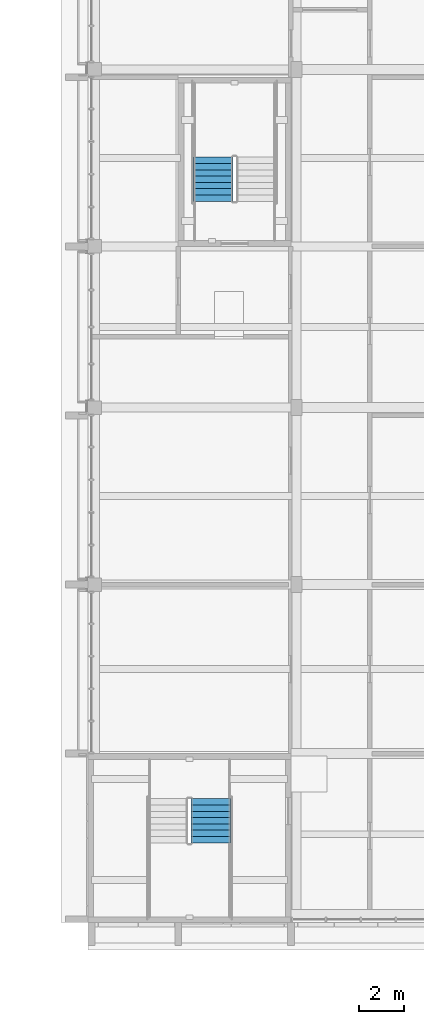
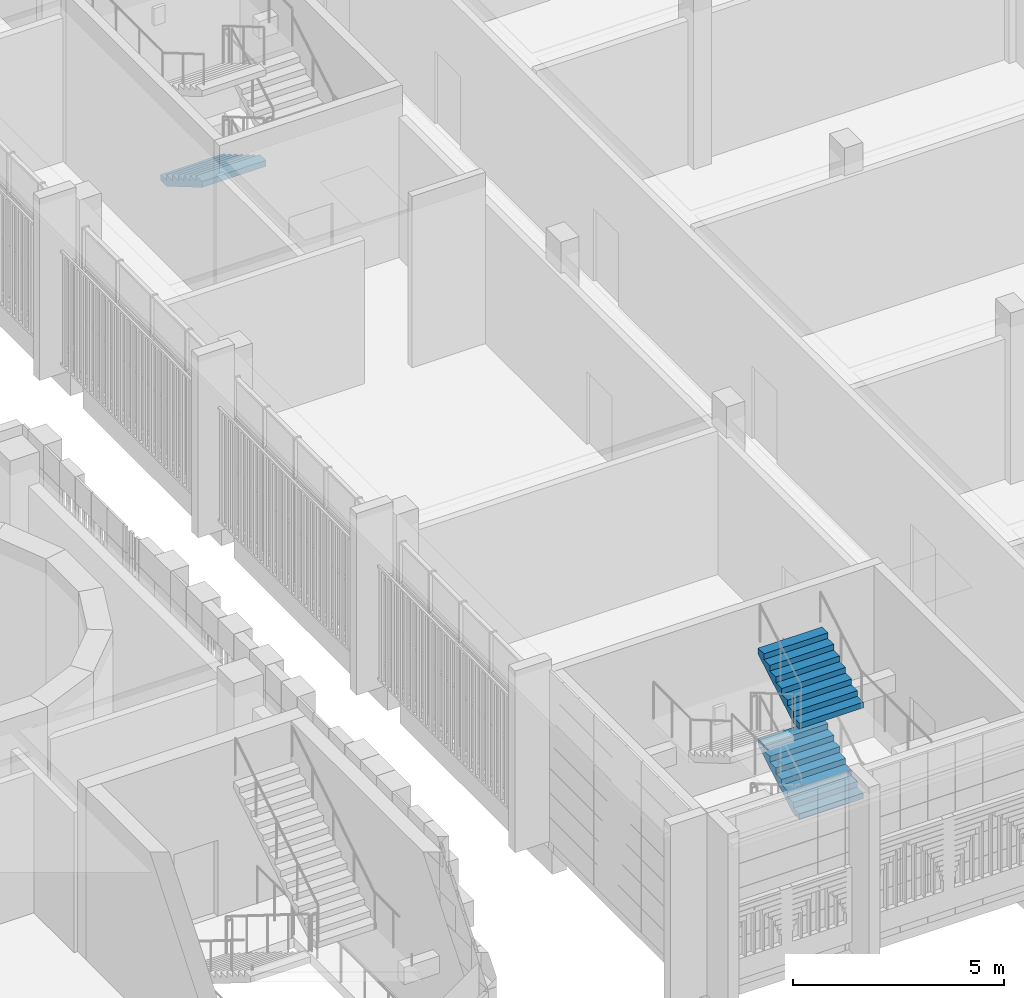
# One storey, part 75 of 125: 3 stair flights, 2 elements without a shape of their own.
"""IFC4 building model written with IfcOpenShell, lengths in metres."""

from ifc_helpers import new_model, si_unit, direction, frame, origin, place, context, subcontext, project, spatial, polyline, outline, extrude, material, type_object, element, aggregate, save


model = new_model("IFC4")

# Units and contexts
model_context = context("Model", 3, precision=1e-05, world=origin(), true_north=direction((0.0, 1.0)))
body_context = subcontext(model_context, "Body", "Model", "MODEL_VIEW")
ifc_project = project(units=[si_unit("LENGTHUNIT", "METRE"), si_unit("AREAUNIT", "SQUARE_METRE"), si_unit("VOLUMEUNIT", "CUBIC_METRE"), si_unit("PLANEANGLEUNIT", "RADIAN"), si_unit("MASSUNIT", "GRAM", prefix="KILO")], contexts=[model_context])

# Site, building, storey
site_placement = place(None, origin())
site = spatial("IfcSite", under=ifc_project, at=site_placement, CompositionType="ELEMENT")
building_placement = place(site_placement, origin())
building = spatial("IfcBuilding", under=site, at=building_placement, Name="Sun Court Science Centre", CompositionType="ELEMENT")
storey_placement = place(building_placement, frame((0.0, 0.0, 6.0)))
storey = spatial("IfcBuildingStorey", under=building, at=storey_placement, Name="L01", CompositionType="ELEMENT", Elevation=6.0)

# Stair, stair flights
ifc_material_1 = material(Name="Concrete C25/30", Category="concrete")
stair_type = type_object("IfcStairType", Name="Stair 1500 enclosed half-turn", PredefinedType="HALF_TURN_STAIR", material=ifc_material_1)
stair_1_placement = place(storey_placement, origin())
stair_1 = element("IfcStair", 1, at=stair_1_placement, inside=storey, type_object=stair_type, Name="L01 Stair SL1", PredefinedType="HALF_TURN_STAIR")
ifc_material_2 = material(Name="Concrete C25/30", Category="concrete")
stair_flight_type = type_object("IfcStairFlightType", Name="Stair flight 1500 with waist", PredefinedType="STRAIGHT", material=ifc_material_2)
stair_flight_1_placement = place(storey_placement, frame((83.448974609375, 9.5419921875, 1.3125), z_axis=(0.0, 0.0, 1.0), x_axis=(0.0, 1.0, 0.0)))
stair_flight_1 = element("IfcStairFlight", 2, at=stair_flight_1_placement, type_object=stair_flight_type, Name="SL1 flight 2", NumberOfRisers=8, NumberOfTreads=7, PredefinedType="STRAIGHT", RiserHeight=0.1640625, TreadLength=0.28, context=body_context, shape_type="SweptSolid", body=[
    extrude(outline(polyline([(0.0, 0.0), (0.0, 0.00244140625), (0.0, 0.0048828125), (0.0, 0.00732421875), (0.0, 0.009765625), (0.0, 0.01220703125), (0.0, 0.0146484375), (0.0, 0.01708984375), (0.0, 0.01953125), (0.0, 0.02197265625), (0.0, 0.0244140625), (0.0, 0.02685546875), (0.0, 0.029296875), (0.0, 0.03173828125), (0.0, 0.0341796875), (0.0, 0.03662109375), (0.0, 0.0390625), (0.0, 0.04150390625), (0.0, 0.0439453125), (0.0, 0.04638671875), (0.0, 0.048828125), (0.0, 0.05126953125), (0.0, 0.0537109375), (0.0, 0.05615234375), (0.0, 0.05859375), (0.0, 0.06103515625), (0.0, 0.0634765625), (0.0, 0.06591796875), (0.0, 0.068359375), (0.0, 0.07080078125), (0.0, 0.0732421875), (0.0, 0.07568359375), (0.0, 0.078125), (0.0, 0.08056640625), (0.0, 0.0830078125), (0.0, 0.08544921875), (0.0, 0.087890625), (0.0, 0.09033203125), (0.0, 0.0927734375), (0.0, 0.09521484375), (0.0, 0.09765625), (0.0, 0.10009765625), (0.0, 0.1025390625), (0.0, 0.10498046875), (0.0, 0.107421875), (0.0, 0.10986328125), (0.0, 0.1123046875), (0.0, 0.11474609375), (0.0, 0.1171875), (0.0, 0.11962890625), (0.0, 0.1220703125), (0.0, 0.12451171875), (0.0, 0.126953125), (0.0, 0.12939453125), (0.0, 0.1318359375), (0.0, 0.13427734375), (0.0, 0.13671875), (0.0, 0.13916015625), (0.0, 0.1416015625), (0.0, 0.14404296875), (0.0, 0.146484375), (0.0, 0.14892578125), (0.0, 0.1513671875), (0.0, 0.15380859375), (0.0, 0.15625), (0.0, 0.15869140625), (0.0, 0.1611328125), (0.0, 0.1640625), (0.280029296875, 0.1640625), (0.280029296875, 0.328125), (0.56005859375, 0.328125), (0.56005859375, 0.4921875), (0.840087890625, 0.4921875), (0.840087890625, 0.65625), (1.1201171875, 0.65625), (1.1201171875, 0.8203125), (1.39990234375, 0.8203125), (1.39990234375, 0.984375), (1.679931640625, 0.984375), (1.679931640625, 1.1484375), (1.9599609375, 1.1484375), (1.9599609375, 1.15087890625), (1.9599609375, 1.1533203125), (1.9599609375, 1.15576171875), (1.9599609375, 1.158203125), (1.9599609375, 1.16064453125), (1.9599609375, 1.1630859375), (1.9599609375, 1.16552734375), (1.9599609375, 1.16796875), (1.9599609375, 1.17041015625), (1.9599609375, 1.1728515625), (1.9599609375, 1.17529296875), (1.9599609375, 1.177734375), (1.9599609375, 1.18017578125), (1.9599609375, 1.1826171875), (1.9599609375, 1.18505859375), (1.9599609375, 1.1875), (1.9599609375, 1.18994140625), (1.9599609375, 1.1923828125), (1.9599609375, 1.19482421875), (1.9599609375, 1.197265625), (1.9599609375, 1.19970703125), (1.9599609375, 1.2021484375), (1.9599609375, 1.20458984375), (1.9599609375, 1.20703125), (1.9599609375, 1.20947265625), (1.9599609375, 1.2119140625), (1.9599609375, 1.21435546875), (1.9599609375, 1.216796875), (1.9599609375, 1.21923828125), (1.9599609375, 1.2216796875), (1.9599609375, 1.22412109375), (1.9599609375, 1.2265625), (1.9599609375, 1.22900390625), (1.9599609375, 1.2314453125), (1.9599609375, 1.23388671875), (1.9599609375, 1.236328125), (1.9599609375, 1.23876953125), (1.9599609375, 1.2412109375), (1.9599609375, 1.24365234375), (1.9599609375, 1.24609375), (1.9599609375, 1.24853515625), (1.9599609375, 1.2509765625), (1.9599609375, 1.25341796875), (1.9599609375, 1.255859375), (1.9599609375, 1.25830078125), (1.9599609375, 1.2607421875), (1.9599609375, 1.26318359375), (1.9599609375, 1.265625), (1.9599609375, 1.26806640625), (1.9599609375, 1.2705078125), (1.9599609375, 1.27294921875), (1.9599609375, 1.275390625), (1.9599609375, 1.27783203125), (1.9599609375, 1.2802734375), (1.9599609375, 1.28271484375), (1.9599609375, 1.28515625), (1.9599609375, 1.28759765625), (1.9599609375, 1.2900390625), (1.9599609375, 1.29248046875), (1.9599609375, 1.294921875), (1.9599609375, 1.29736328125), (1.9599609375, 1.2998046875), (1.9599609375, 1.30224609375), (1.9599609375, 1.3046875), (1.9599609375, 1.30712890625), (1.9599609375, 1.3095703125), (1.9599609375, 1.3125), (1.9599609375, 1.31005859375), (1.9599609375, 1.3076171875), (1.9599609375, 1.30517578125), (1.9599609375, 1.302734375), (1.9599609375, 1.30029296875), (1.9599609375, 1.2978515625), (1.9599609375, 1.29541015625), (1.9599609375, 1.29296875), (1.9599609375, 1.29052734375), (1.9599609375, 1.2880859375), (1.9599609375, 1.28564453125), (1.9599609375, 1.283203125), (1.9599609375, 1.28076171875), (1.9599609375, 1.2783203125), (1.9599609375, 1.27587890625), (1.9599609375, 1.2734375), (1.9599609375, 1.27099609375), (1.9599609375, 1.2685546875), (1.9599609375, 1.26611328125), (1.9599609375, 1.263671875), (1.9599609375, 1.26123046875), (1.9599609375, 1.2587890625), (1.9599609375, 1.25634765625), (1.9599609375, 1.25390625), (1.9599609375, 1.25146484375), (1.9599609375, 1.2490234375), (1.9599609375, 1.24658203125), (1.9599609375, 1.244140625), (1.9599609375, 1.24169921875), (1.9599609375, 1.2392578125), (1.9599609375, 1.23681640625), (1.9599609375, 1.234375), (1.9599609375, 1.23193359375), (1.9599609375, 1.2294921875), (1.9599609375, 1.22705078125), (1.9599609375, 1.224609375), (1.9599609375, 1.22216796875), (1.9599609375, 1.2197265625), (1.9599609375, 1.21728515625), (1.9599609375, 1.21484375), (1.9599609375, 1.21240234375), (1.9599609375, 1.2099609375), (1.9599609375, 1.20751953125), (1.9599609375, 1.205078125), (1.9599609375, 1.20263671875), (1.9599609375, 1.2001953125), (1.9599609375, 1.19775390625), (1.9599609375, 1.1953125), (1.9599609375, 1.19287109375), (1.9599609375, 1.1904296875), (1.9599609375, 1.18798828125), (1.9599609375, 1.185546875), (1.9599609375, 1.18310546875), (1.9599609375, 1.1806640625), (1.9599609375, 1.17822265625), (1.9599609375, 1.17578125), (1.9599609375, 1.17333984375), (1.9599609375, 1.1708984375), (1.9599609375, 1.16845703125), (1.9599609375, 1.166015625), (1.9599609375, 1.16357421875), (1.9599609375, 1.1611328125), (1.9599609375, 1.15869140625), (1.9599609375, 1.15625), (1.9599609375, 1.15380859375), (1.9599609375, 1.1513671875), (1.9599609375, 1.14892578125), (1.9599609375, 1.146484375), (1.9599609375, 1.14404296875), (1.9599609375, 1.1416015625), (1.9599609375, 1.13916015625), (1.9599609375, 1.13671875), (1.9599609375, 1.13427734375), (1.9599609375, 1.1318359375), (1.9599609375, 1.12939453125), (1.9599609375, 1.126953125), (1.9599609375, 1.12451171875), (1.9599609375, 1.1220703125), (1.9599609375, 1.11962890625), (1.9599609375, 1.1171875), (1.9599609375, 1.11474609375), (1.9599609375, 1.1123046875), (1.9599609375, 1.10986328125), (1.9599609375, 1.107421875), (1.9599609375, 1.10498046875), (1.9599609375, 1.1025390625), (1.9599609375, 1.10009765625), (1.9599609375, 1.09765625), (1.9599609375, 1.09521484375), (1.9599609375, 1.0927734375), (1.9599609375, 1.09033203125), (1.9599609375, 1.087890625), (1.9599609375, 1.08544921875), (1.9599609375, 1.0830078125), (1.9599609375, 1.08056640625), (1.9599609375, 1.078125), (1.9599609375, 1.07568359375), (1.9599609375, 1.0732421875), (1.9599609375, 1.07080078125), (1.9599609375, 1.068359375), (1.9599609375, 1.06591796875), (1.9599609375, 1.0634765625), (1.9599609375, 1.06103515625), (1.9599609375, 1.05859375), (1.9599609375, 1.05615234375), (1.9599609375, 1.0537109375), (1.9599609375, 1.05126953125), (1.9599609375, 1.048828125), (1.9599609375, 1.04638671875), (1.9599609375, 1.0439453125), (1.9599609375, 1.04150390625), (1.9599609375, 1.0390625), (1.9599609375, 1.03662109375), (1.9599609375, 1.0341796875), (1.9599609375, 1.03173828125), (1.9599609375, 1.029296875), (1.9599609375, 1.02685546875), (1.9599609375, 1.0244140625), (1.9599609375, 1.02197265625), (1.9599609375, 1.01953125), (1.9599609375, 1.01708984375), (1.9599609375, 1.0146484375), (1.9599609375, 1.01220703125), (1.9599609375, 1.009765625), (1.9599609375, 1.00732421875), (1.9599609375, 1.0048828125), (1.9599609375, 1.00244140625), (1.9599609375, 1.0), (1.9599609375, 0.99755859375), (1.9599609375, 0.9951171875), (1.9599609375, 0.99267578125), (1.9599609375, 0.990234375), (1.9599609375, 0.98779296875), (1.9599609375, 0.9853515625), (1.9599609375, 0.98291015625), (1.9599609375, 0.98046875), (1.9599609375, 0.97802734375), (1.9599609375, 0.974609375), (0.296630859375, 0.0), (0.0, 0.0)])), frame((0.0, 0.8740234375, 0.0), z_axis=(0.0, -1.0, 0.0), x_axis=(1.0, 0.0, 0.0)), (0.0, 0.0, 1.0), 1.748046875),
])
stair_flight_2_placement = place(storey_placement, frame((83.448974609375, 9.5419921875, 3.9375), z_axis=(0.0, 0.0, 1.0), x_axis=(0.0, 1.0, 0.0)))
stair_flight_2 = element("IfcStairFlight", 3, at=stair_flight_2_placement, type_object=stair_flight_type, Name="SL1 flight 4", NumberOfRisers=8, NumberOfTreads=7, PredefinedType="STRAIGHT", RiserHeight=0.1640625, TreadLength=0.28, context=body_context, shape_type="SweptSolid", body=[
    extrude(outline(polyline([(0.0, 0.0), (0.0, 0.00244140625), (0.0, 0.0048828125), (0.0, 0.00732421875), (0.0, 0.009765625), (0.0, 0.01220703125), (0.0, 0.0146484375), (0.0, 0.01708984375), (0.0, 0.01953125), (0.0, 0.02197265625), (0.0, 0.0244140625), (0.0, 0.02685546875), (0.0, 0.029296875), (0.0, 0.03173828125), (0.0, 0.0341796875), (0.0, 0.03662109375), (0.0, 0.0390625), (0.0, 0.04150390625), (0.0, 0.0439453125), (0.0, 0.04638671875), (0.0, 0.048828125), (0.0, 0.05126953125), (0.0, 0.0537109375), (0.0, 0.05615234375), (0.0, 0.05859375), (0.0, 0.06103515625), (0.0, 0.0634765625), (0.0, 0.06591796875), (0.0, 0.068359375), (0.0, 0.07080078125), (0.0, 0.0732421875), (0.0, 0.07568359375), (0.0, 0.078125), (0.0, 0.08056640625), (0.0, 0.0830078125), (0.0, 0.08544921875), (0.0, 0.087890625), (0.0, 0.09033203125), (0.0, 0.0927734375), (0.0, 0.09521484375), (0.0, 0.09765625), (0.0, 0.10009765625), (0.0, 0.1025390625), (0.0, 0.10498046875), (0.0, 0.107421875), (0.0, 0.10986328125), (0.0, 0.1123046875), (0.0, 0.11474609375), (0.0, 0.1171875), (0.0, 0.11962890625), (0.0, 0.1220703125), (0.0, 0.12451171875), (0.0, 0.126953125), (0.0, 0.12939453125), (0.0, 0.1318359375), (0.0, 0.13427734375), (0.0, 0.13671875), (0.0, 0.13916015625), (0.0, 0.1416015625), (0.0, 0.14404296875), (0.0, 0.146484375), (0.0, 0.14892578125), (0.0, 0.1513671875), (0.0, 0.15380859375), (0.0, 0.15625), (0.0, 0.15869140625), (0.0, 0.1611328125), (0.0, 0.1640625), (0.280029296875, 0.1640625), (0.280029296875, 0.328125), (0.56005859375, 0.328125), (0.56005859375, 0.4921875), (0.840087890625, 0.4921875), (0.840087890625, 0.65625), (1.1201171875, 0.65625), (1.1201171875, 0.8203125), (1.39990234375, 0.8203125), (1.39990234375, 0.984375), (1.679931640625, 0.984375), (1.679931640625, 1.1484375), (1.9599609375, 1.1484375), (1.9599609375, 1.15087890625), (1.9599609375, 1.1533203125), (1.9599609375, 1.15576171875), (1.9599609375, 1.158203125), (1.9599609375, 1.16064453125), (1.9599609375, 1.1630859375), (1.9599609375, 1.16552734375), (1.9599609375, 1.16796875), (1.9599609375, 1.17041015625), (1.9599609375, 1.1728515625), (1.9599609375, 1.17529296875), (1.9599609375, 1.177734375), (1.9599609375, 1.18017578125), (1.9599609375, 1.1826171875), (1.9599609375, 1.18505859375), (1.9599609375, 1.1875), (1.9599609375, 1.18994140625), (1.9599609375, 1.1923828125), (1.9599609375, 1.19482421875), (1.9599609375, 1.197265625), (1.9599609375, 1.19970703125), (1.9599609375, 1.2021484375), (1.9599609375, 1.20458984375), (1.9599609375, 1.20703125), (1.9599609375, 1.20947265625), (1.9599609375, 1.2119140625), (1.9599609375, 1.21435546875), (1.9599609375, 1.216796875), (1.9599609375, 1.21923828125), (1.9599609375, 1.2216796875), (1.9599609375, 1.22412109375), (1.9599609375, 1.2265625), (1.9599609375, 1.22900390625), (1.9599609375, 1.2314453125), (1.9599609375, 1.23388671875), (1.9599609375, 1.236328125), (1.9599609375, 1.23876953125), (1.9599609375, 1.2412109375), (1.9599609375, 1.24365234375), (1.9599609375, 1.24609375), (1.9599609375, 1.24853515625), (1.9599609375, 1.2509765625), (1.9599609375, 1.25341796875), (1.9599609375, 1.255859375), (1.9599609375, 1.25830078125), (1.9599609375, 1.2607421875), (1.9599609375, 1.26318359375), (1.9599609375, 1.265625), (1.9599609375, 1.26806640625), (1.9599609375, 1.2705078125), (1.9599609375, 1.27294921875), (1.9599609375, 1.275390625), (1.9599609375, 1.27783203125), (1.9599609375, 1.2802734375), (1.9599609375, 1.28271484375), (1.9599609375, 1.28515625), (1.9599609375, 1.28759765625), (1.9599609375, 1.2900390625), (1.9599609375, 1.29248046875), (1.9599609375, 1.294921875), (1.9599609375, 1.29736328125), (1.9599609375, 1.2998046875), (1.9599609375, 1.30224609375), (1.9599609375, 1.3046875), (1.9599609375, 1.30712890625), (1.9599609375, 1.3095703125), (1.9599609375, 1.3125), (1.9599609375, 1.31005859375), (1.9599609375, 1.3076171875), (1.9599609375, 1.30517578125), (1.9599609375, 1.302734375), (1.9599609375, 1.30029296875), (1.9599609375, 1.2978515625), (1.9599609375, 1.29541015625), (1.9599609375, 1.29296875), (1.9599609375, 1.29052734375), (1.9599609375, 1.2880859375), (1.9599609375, 1.28564453125), (1.9599609375, 1.283203125), (1.9599609375, 1.28076171875), (1.9599609375, 1.2783203125), (1.9599609375, 1.27587890625), (1.9599609375, 1.2734375), (1.9599609375, 1.27099609375), (1.9599609375, 1.2685546875), (1.9599609375, 1.26611328125), (1.9599609375, 1.263671875), (1.9599609375, 1.26123046875), (1.9599609375, 1.2587890625), (1.9599609375, 1.25634765625), (1.9599609375, 1.25390625), (1.9599609375, 1.25146484375), (1.9599609375, 1.2490234375), (1.9599609375, 1.24658203125), (1.9599609375, 1.244140625), (1.9599609375, 1.24169921875), (1.9599609375, 1.2392578125), (1.9599609375, 1.23681640625), (1.9599609375, 1.234375), (1.9599609375, 1.23193359375), (1.9599609375, 1.2294921875), (1.9599609375, 1.22705078125), (1.9599609375, 1.224609375), (1.9599609375, 1.22216796875), (1.9599609375, 1.2197265625), (1.9599609375, 1.21728515625), (1.9599609375, 1.21484375), (1.9599609375, 1.21240234375), (1.9599609375, 1.2099609375), (1.9599609375, 1.20751953125), (1.9599609375, 1.205078125), (1.9599609375, 1.20263671875), (1.9599609375, 1.2001953125), (1.9599609375, 1.19775390625), (1.9599609375, 1.1953125), (1.9599609375, 1.19287109375), (1.9599609375, 1.1904296875), (1.9599609375, 1.18798828125), (1.9599609375, 1.185546875), (1.9599609375, 1.18310546875), (1.9599609375, 1.1806640625), (1.9599609375, 1.17822265625), (1.9599609375, 1.17578125), (1.9599609375, 1.17333984375), (1.9599609375, 1.1708984375), (1.9599609375, 1.16845703125), (1.9599609375, 1.166015625), (1.9599609375, 1.16357421875), (1.9599609375, 1.1611328125), (1.9599609375, 1.15869140625), (1.9599609375, 1.15625), (1.9599609375, 1.15380859375), (1.9599609375, 1.1513671875), (1.9599609375, 1.14892578125), (1.9599609375, 1.146484375), (1.9599609375, 1.14404296875), (1.9599609375, 1.1416015625), (1.9599609375, 1.13916015625), (1.9599609375, 1.13671875), (1.9599609375, 1.13427734375), (1.9599609375, 1.1318359375), (1.9599609375, 1.12939453125), (1.9599609375, 1.126953125), (1.9599609375, 1.12451171875), (1.9599609375, 1.1220703125), (1.9599609375, 1.11962890625), (1.9599609375, 1.1171875), (1.9599609375, 1.11474609375), (1.9599609375, 1.1123046875), (1.9599609375, 1.10986328125), (1.9599609375, 1.107421875), (1.9599609375, 1.10498046875), (1.9599609375, 1.1025390625), (1.9599609375, 1.10009765625), (1.9599609375, 1.09765625), (1.9599609375, 1.09521484375), (1.9599609375, 1.0927734375), (1.9599609375, 1.09033203125), (1.9599609375, 1.087890625), (1.9599609375, 1.08544921875), (1.9599609375, 1.0830078125), (1.9599609375, 1.08056640625), (1.9599609375, 1.078125), (1.9599609375, 1.07568359375), (1.9599609375, 1.0732421875), (1.9599609375, 1.07080078125), (1.9599609375, 1.068359375), (1.9599609375, 1.06591796875), (1.9599609375, 1.0634765625), (1.9599609375, 1.06103515625), (1.9599609375, 1.05859375), (1.9599609375, 1.05615234375), (1.9599609375, 1.0537109375), (1.9599609375, 1.05126953125), (1.9599609375, 1.048828125), (1.9599609375, 1.04638671875), (1.9599609375, 1.0439453125), (1.9599609375, 1.04150390625), (1.9599609375, 1.0390625), (1.9599609375, 1.03662109375), (1.9599609375, 1.0341796875), (1.9599609375, 1.03173828125), (1.9599609375, 1.029296875), (1.9599609375, 1.02685546875), (1.9599609375, 1.0244140625), (1.9599609375, 1.02197265625), (1.9599609375, 1.01953125), (1.9599609375, 1.01708984375), (1.9599609375, 1.0146484375), (1.9599609375, 1.01220703125), (1.9599609375, 1.009765625), (1.9599609375, 1.00732421875), (1.9599609375, 1.0048828125), (1.9599609375, 1.00244140625), (1.9599609375, 1.0), (1.9599609375, 0.99755859375), (1.9599609375, 0.9951171875), (1.9599609375, 0.99267578125), (1.9599609375, 0.990234375), (1.9599609375, 0.98779296875), (1.9599609375, 0.9853515625), (1.9599609375, 0.98291015625), (1.9599609375, 0.98046875), (1.9599609375, 0.97802734375), (1.9599609375, 0.974609375), (0.296630859375, 0.0), (0.0, 0.0)])), frame((0.0, 0.8740234375, 0.0), z_axis=(0.0, -1.0, 0.0), x_axis=(1.0, 0.0, 0.0)), (0.0, 0.0, 1.0), 1.748046875),
])
aggregate(stair_1, [stair_flight_1, stair_flight_2])

# Stair, stair flight
stair_2_placement = place(storey_placement, origin())
stair_2 = element("IfcStair", 4, at=stair_2_placement, inside=storey, type_object=stair_type, Name="L01 Stair SL2", PredefinedType="HALF_TURN_STAIR")
stair_flight_3_placement = place(storey_placement, frame((83.551025390625, 39.9580078125, 1.3125), z_axis=(0.0, 0.0, 1.0), x_axis=(0.0, -1.0, 0.0)))
stair_flight_3 = element("IfcStairFlight", 5, at=stair_flight_3_placement, type_object=stair_flight_type, Name="SL2 flight 2", NumberOfRisers=8, NumberOfTreads=7, PredefinedType="STRAIGHT", RiserHeight=0.1640625, TreadLength=0.28, context=body_context, shape_type="SweptSolid", body=[
    extrude(outline(polyline([(0.0, 0.0), (0.0, 0.00244140625), (0.0, 0.0048828125), (0.0, 0.00732421875), (0.0, 0.009765625), (0.0, 0.01220703125), (0.0, 0.0146484375), (0.0, 0.01708984375), (0.0, 0.01953125), (0.0, 0.02197265625), (0.0, 0.0244140625), (0.0, 0.02685546875), (0.0, 0.029296875), (0.0, 0.03173828125), (0.0, 0.0341796875), (0.0, 0.03662109375), (0.0, 0.0390625), (0.0, 0.04150390625), (0.0, 0.0439453125), (0.0, 0.04638671875), (0.0, 0.048828125), (0.0, 0.05126953125), (0.0, 0.0537109375), (0.0, 0.05615234375), (0.0, 0.05859375), (0.0, 0.06103515625), (0.0, 0.0634765625), (0.0, 0.06591796875), (0.0, 0.068359375), (0.0, 0.07080078125), (0.0, 0.0732421875), (0.0, 0.07568359375), (0.0, 0.078125), (0.0, 0.08056640625), (0.0, 0.0830078125), (0.0, 0.08544921875), (0.0, 0.087890625), (0.0, 0.09033203125), (0.0, 0.0927734375), (0.0, 0.09521484375), (0.0, 0.09765625), (0.0, 0.10009765625), (0.0, 0.1025390625), (0.0, 0.10498046875), (0.0, 0.107421875), (0.0, 0.10986328125), (0.0, 0.1123046875), (0.0, 0.11474609375), (0.0, 0.1171875), (0.0, 0.11962890625), (0.0, 0.1220703125), (0.0, 0.12451171875), (0.0, 0.126953125), (0.0, 0.12939453125), (0.0, 0.1318359375), (0.0, 0.13427734375), (0.0, 0.13671875), (0.0, 0.13916015625), (0.0, 0.1416015625), (0.0, 0.14404296875), (0.0, 0.146484375), (0.0, 0.14892578125), (0.0, 0.1513671875), (0.0, 0.15380859375), (0.0, 0.15625), (0.0, 0.15869140625), (0.0, 0.1611328125), (0.0, 0.1640625), (0.280029296875, 0.1640625), (0.280029296875, 0.328125), (0.56005859375, 0.328125), (0.56005859375, 0.4921875), (0.840087890625, 0.4921875), (0.840087890625, 0.65625), (1.1201171875, 0.65625), (1.1201171875, 0.8203125), (1.39990234375, 0.8203125), (1.39990234375, 0.984375), (1.679931640625, 0.984375), (1.679931640625, 1.1484375), (1.9599609375, 1.1484375), (1.9599609375, 1.15087890625), (1.9599609375, 1.1533203125), (1.9599609375, 1.15576171875), (1.9599609375, 1.158203125), (1.9599609375, 1.16064453125), (1.9599609375, 1.1630859375), (1.9599609375, 1.16552734375), (1.9599609375, 1.16796875), (1.9599609375, 1.17041015625), (1.9599609375, 1.1728515625), (1.9599609375, 1.17529296875), (1.9599609375, 1.177734375), (1.9599609375, 1.18017578125), (1.9599609375, 1.1826171875), (1.9599609375, 1.18505859375), (1.9599609375, 1.1875), (1.9599609375, 1.18994140625), (1.9599609375, 1.1923828125), (1.9599609375, 1.19482421875), (1.9599609375, 1.197265625), (1.9599609375, 1.19970703125), (1.9599609375, 1.2021484375), (1.9599609375, 1.20458984375), (1.9599609375, 1.20703125), (1.9599609375, 1.20947265625), (1.9599609375, 1.2119140625), (1.9599609375, 1.21435546875), (1.9599609375, 1.216796875), (1.9599609375, 1.21923828125), (1.9599609375, 1.2216796875), (1.9599609375, 1.22412109375), (1.9599609375, 1.2265625), (1.9599609375, 1.22900390625), (1.9599609375, 1.2314453125), (1.9599609375, 1.23388671875), (1.9599609375, 1.236328125), (1.9599609375, 1.23876953125), (1.9599609375, 1.2412109375), (1.9599609375, 1.24365234375), (1.9599609375, 1.24609375), (1.9599609375, 1.24853515625), (1.9599609375, 1.2509765625), (1.9599609375, 1.25341796875), (1.9599609375, 1.255859375), (1.9599609375, 1.25830078125), (1.9599609375, 1.2607421875), (1.9599609375, 1.26318359375), (1.9599609375, 1.265625), (1.9599609375, 1.26806640625), (1.9599609375, 1.2705078125), (1.9599609375, 1.27294921875), (1.9599609375, 1.275390625), (1.9599609375, 1.27783203125), (1.9599609375, 1.2802734375), (1.9599609375, 1.28271484375), (1.9599609375, 1.28515625), (1.9599609375, 1.28759765625), (1.9599609375, 1.2900390625), (1.9599609375, 1.29248046875), (1.9599609375, 1.294921875), (1.9599609375, 1.29736328125), (1.9599609375, 1.2998046875), (1.9599609375, 1.30224609375), (1.9599609375, 1.3046875), (1.9599609375, 1.30712890625), (1.9599609375, 1.3095703125), (1.9599609375, 1.3125), (1.9599609375, 1.31005859375), (1.9599609375, 1.3076171875), (1.9599609375, 1.30517578125), (1.9599609375, 1.302734375), (1.9599609375, 1.30029296875), (1.9599609375, 1.2978515625), (1.9599609375, 1.29541015625), (1.9599609375, 1.29296875), (1.9599609375, 1.29052734375), (1.9599609375, 1.2880859375), (1.9599609375, 1.28564453125), (1.9599609375, 1.283203125), (1.9599609375, 1.28076171875), (1.9599609375, 1.2783203125), (1.9599609375, 1.27587890625), (1.9599609375, 1.2734375), (1.9599609375, 1.27099609375), (1.9599609375, 1.2685546875), (1.9599609375, 1.26611328125), (1.9599609375, 1.263671875), (1.9599609375, 1.26123046875), (1.9599609375, 1.2587890625), (1.9599609375, 1.25634765625), (1.9599609375, 1.25390625), (1.9599609375, 1.25146484375), (1.9599609375, 1.2490234375), (1.9599609375, 1.24658203125), (1.9599609375, 1.244140625), (1.9599609375, 1.24169921875), (1.9599609375, 1.2392578125), (1.9599609375, 1.23681640625), (1.9599609375, 1.234375), (1.9599609375, 1.23193359375), (1.9599609375, 1.2294921875), (1.9599609375, 1.22705078125), (1.9599609375, 1.224609375), (1.9599609375, 1.22216796875), (1.9599609375, 1.2197265625), (1.9599609375, 1.21728515625), (1.9599609375, 1.21484375), (1.9599609375, 1.21240234375), (1.9599609375, 1.2099609375), (1.9599609375, 1.20751953125), (1.9599609375, 1.205078125), (1.9599609375, 1.20263671875), (1.9599609375, 1.2001953125), (1.9599609375, 1.19775390625), (1.9599609375, 1.1953125), (1.9599609375, 1.19287109375), (1.9599609375, 1.1904296875), (1.9599609375, 1.18798828125), (1.9599609375, 1.185546875), (1.9599609375, 1.18310546875), (1.9599609375, 1.1806640625), (1.9599609375, 1.17822265625), (1.9599609375, 1.17578125), (1.9599609375, 1.17333984375), (1.9599609375, 1.1708984375), (1.9599609375, 1.16845703125), (1.9599609375, 1.166015625), (1.9599609375, 1.16357421875), (1.9599609375, 1.1611328125), (1.9599609375, 1.15869140625), (1.9599609375, 1.15625), (1.9599609375, 1.15380859375), (1.9599609375, 1.1513671875), (1.9599609375, 1.14892578125), (1.9599609375, 1.146484375), (1.9599609375, 1.14404296875), (1.9599609375, 1.1416015625), (1.9599609375, 1.13916015625), (1.9599609375, 1.13671875), (1.9599609375, 1.13427734375), (1.9599609375, 1.1318359375), (1.9599609375, 1.12939453125), (1.9599609375, 1.126953125), (1.9599609375, 1.12451171875), (1.9599609375, 1.1220703125), (1.9599609375, 1.11962890625), (1.9599609375, 1.1171875), (1.9599609375, 1.11474609375), (1.9599609375, 1.1123046875), (1.9599609375, 1.10986328125), (1.9599609375, 1.107421875), (1.9599609375, 1.10498046875), (1.9599609375, 1.1025390625), (1.9599609375, 1.10009765625), (1.9599609375, 1.09765625), (1.9599609375, 1.09521484375), (1.9599609375, 1.0927734375), (1.9599609375, 1.09033203125), (1.9599609375, 1.087890625), (1.9599609375, 1.08544921875), (1.9599609375, 1.0830078125), (1.9599609375, 1.08056640625), (1.9599609375, 1.078125), (1.9599609375, 1.07568359375), (1.9599609375, 1.0732421875), (1.9599609375, 1.07080078125), (1.9599609375, 1.068359375), (1.9599609375, 1.06591796875), (1.9599609375, 1.0634765625), (1.9599609375, 1.06103515625), (1.9599609375, 1.05859375), (1.9599609375, 1.05615234375), (1.9599609375, 1.0537109375), (1.9599609375, 1.05126953125), (1.9599609375, 1.048828125), (1.9599609375, 1.04638671875), (1.9599609375, 1.0439453125), (1.9599609375, 1.04150390625), (1.9599609375, 1.0390625), (1.9599609375, 1.03662109375), (1.9599609375, 1.0341796875), (1.9599609375, 1.03173828125), (1.9599609375, 1.029296875), (1.9599609375, 1.02685546875), (1.9599609375, 1.0244140625), (1.9599609375, 1.02197265625), (1.9599609375, 1.01953125), (1.9599609375, 1.01708984375), (1.9599609375, 1.0146484375), (1.9599609375, 1.01220703125), (1.9599609375, 1.009765625), (1.9599609375, 1.00732421875), (1.9599609375, 1.0048828125), (1.9599609375, 1.00244140625), (1.9599609375, 1.0), (1.9599609375, 0.99755859375), (1.9599609375, 0.9951171875), (1.9599609375, 0.99267578125), (1.9599609375, 0.990234375), (1.9599609375, 0.98779296875), (1.9599609375, 0.9853515625), (1.9599609375, 0.98291015625), (1.9599609375, 0.98046875), (1.9599609375, 0.97802734375), (1.9599609375, 0.974609375), (0.296630859375, 0.0), (0.0, 0.0)])), frame((0.0, 0.8740234375, 0.0), z_axis=(0.0, -1.0, 0.0), x_axis=(1.0, 0.0, 0.0)), (0.0, 0.0, 1.0), 1.748046875),
])
aggregate(stair_2, [stair_flight_3])

save(model, "model.ifc")
